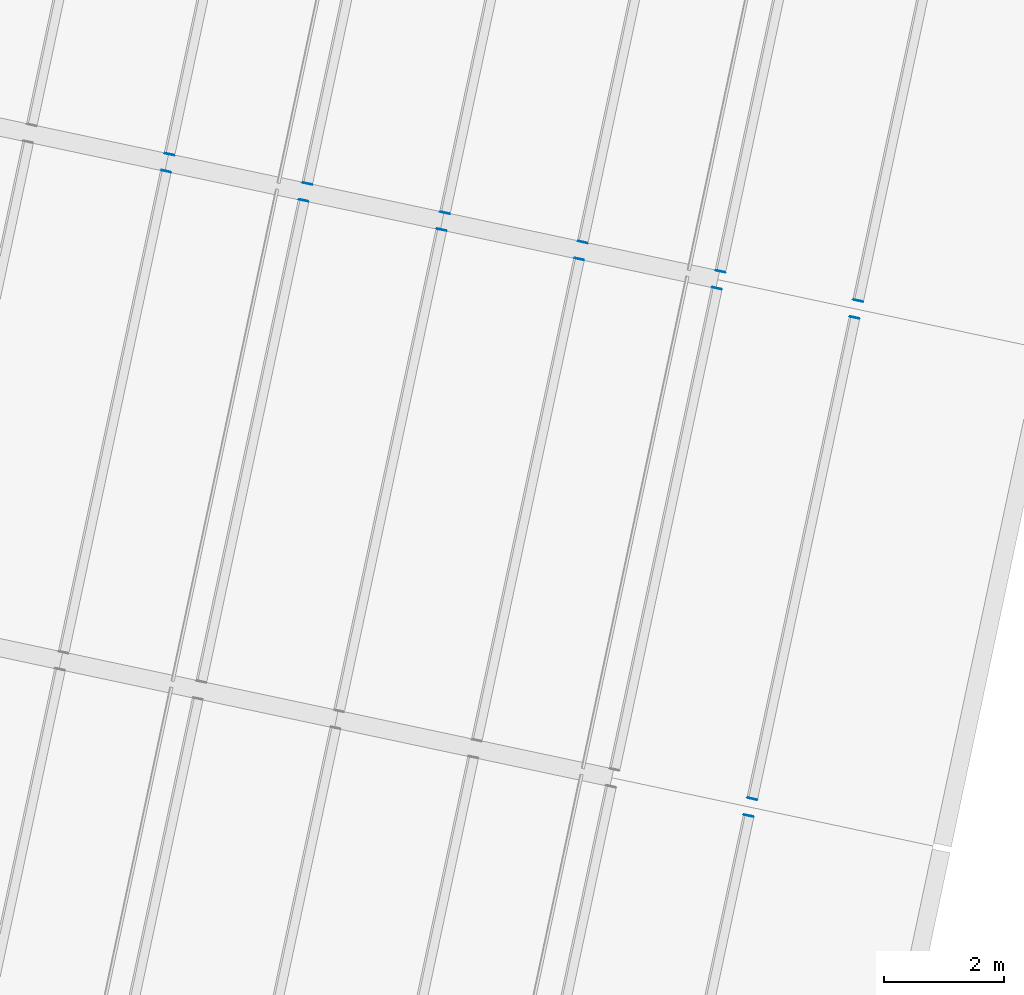
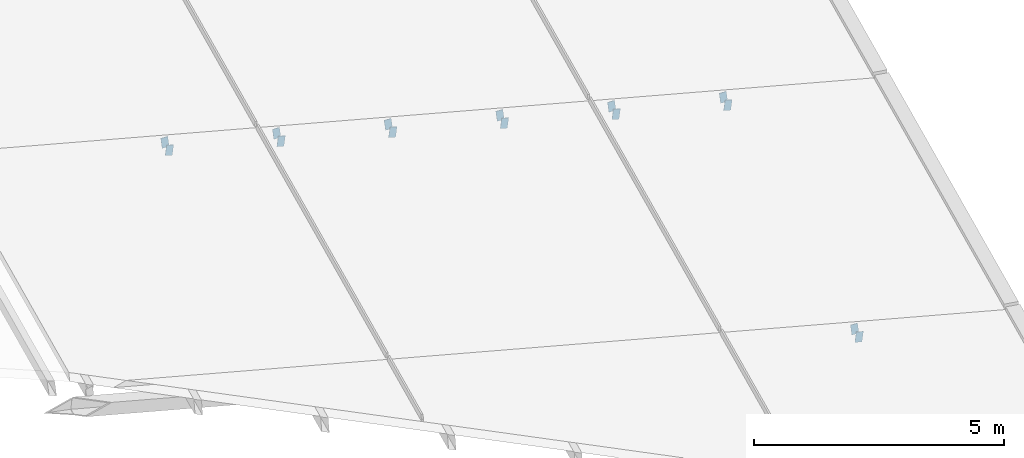
# One storey, part 159 of 196: 14 discrete accessories.
"""IFC4 building model written with IfcOpenShell, lengths in metres."""

from ifc_helpers import new_model, si_unit, direction, frame, origin, origin_2d, place, context, subcontext, project, spatial, rectangle, extrude, material, layer, layer_set, type_object, element, save


model = new_model("IFC4")

# Units and contexts
model_context = context("Model", 3, precision=1e-05, world=origin(), true_north=direction((0.0, 1.0)))
body_context = subcontext(model_context, "Body", "Model", "MODEL_VIEW")
ifc_project = project(units=[si_unit("LENGTHUNIT", "METRE"), si_unit("AREAUNIT", "SQUARE_METRE"), si_unit("VOLUMEUNIT", "CUBIC_METRE"), si_unit("PLANEANGLEUNIT", "RADIAN"), si_unit("MASSUNIT", "GRAM", prefix="KILO")], contexts=[model_context])

# Site, building, storey
site_placement = place(None, origin())
site = spatial("IfcSite", under=ifc_project, at=site_placement, CompositionType="ELEMENT")
building_placement = place(site_placement, origin())
building = spatial("IfcBuilding", under=site, at=building_placement, Name="Okhra Congress Centre", CompositionType="ELEMENT")
storey_placement = place(building_placement, frame((0.0, 0.0, 12.0)))
storey = spatial("IfcBuildingStorey", under=building, at=storey_placement, Name="L02", CompositionType="ELEMENT", Elevation=12.0)

# Discrete accessories
ifc_material = material(Name="Steel S355J2", Category="steel")
ifc_layer = layer(ifc_material, 0.011962890625)
ifc_layer_set = layer_set([ifc_layer], Name="Hollow section end cap 12 mm S355")
discrete_accessory_type = type_object("IfcDiscreteAccessoryType", Name="Hollow section end cap 12 mm S355", PredefinedType="BRACKET", material=ifc_layer_set)
for number, where, z_axis, x_axis, name in (
    (1, (254.58740234375, 92.59716796875, 0.21142578125), (0.203954254112, 0.978980419738, 0.0), (-0.971683248143, 0.20243401003, 0.121869343405), "Hollow section end cap"),
    (2, (244.861328125, 103.3544921875, 1.654296875), (0.223376156329, 0.974732318528, 0.0), (-0.967466811636, 0.221711144333, 0.121869343405), "Hollow section end cap"),
    (3, (247.16015625, 102.86572265625, 1.36572265625), (0.203954254112, 0.978980419738, 0.0), (-0.971683248143, 0.20243401003, 0.121869343405), "Hollow section end cap"),
    (4, (249.458740234375, 102.377197265625, 1.0771484375), (0.203954254112, 0.978980419738, 0.0), (-0.971683248143, 0.20243401003, 0.121869343405), "Hollow section end cap"),
    (5, (251.75732421875, 101.888671875, 0.78857421875), (0.203954254112, 0.978980419738, 0.0), (-0.971683248143, 0.20243401003, 0.121869343405), "Hollow section end cap"),
):
    element("IfcDiscreteAccessory", number, at=place(storey_placement, frame(where, z_axis=z_axis, x_axis=x_axis)), inside=storey, type_object=discrete_accessory_type, Name=name, PredefinedType="BRACKET", context=body_context, shape_type="SweptSolid", body=[
        extrude(rectangle(XDim=0.14990234375, YDim=0.25, at=origin_2d()), origin(), (0.0, 0.0, 1.0), 0.011962890625),
    ])
discrete_accessory_placement = place(storey_placement, frame((254.055908203125, 101.39990234375, 0.5), z_axis=(0.219038342307, 0.975716252094, 0.0), x_axis=(-0.968443411109, 0.217405663718, 0.121869343405)))
element("IfcDiscreteAccessory", 6, at=discrete_accessory_placement, inside=storey, type_object=discrete_accessory_type, Name="Hollow section end cap", PredefinedType="BRACKET", context=body_context, shape_type="SweptSolid", body=[
    extrude(rectangle(XDim=0.14990234375, YDim=0.25, at=origin_2d()), origin(), (0.0, 0.0, 1.0), 0.01220703125),
])
for number, where, z_axis, x_axis, name in (
    (7, (254.64990234375, 92.890625, 0.21142578125), (-0.223376156329, -0.974732318528, 0.0), (0.967466811636, -0.221711144333, 0.121869343405), "Hollow section end cap"),
    (8, (256.354736328125, 100.911376953125, 0.21142578125), (0.203954254112, 0.978980419738, 0.0), (-0.971683248143, 0.20243401003, 0.121869343405), "Hollow section end cap"),
    (9, (244.923828125, 103.647705078125, 1.654296875), (-0.203954254112, -0.978980419738, 0.0), (0.971683248143, -0.20243401003, 0.121869343405), "Hollow section end cap"),
    (10, (247.222412109375, 103.1591796875, 1.36572265625), (-0.203954254112, -0.978980419738, 0.0), (0.971683248143, -0.20243401003, 0.121869343405), "Hollow section end cap"),
    (11, (249.52099609375, 102.670654296875, 1.0771484375), (-0.203954254112, -0.978980419738, 0.0), (0.971683248143, -0.20243401003, 0.121869343405), "Hollow section end cap"),
    (12, (251.81982421875, 102.18212890625, 0.78857421875), (-0.223376156329, -0.974732318528, 0.0), (0.967466811636, -0.221711144333, 0.121869343405), "Hollow section end cap"),
    (13, (254.118408203125, 101.693359375, 0.5), (-0.203954254112, -0.978980419738, 0.0), (0.971683248143, -0.20243401003, 0.121869343405), "Hollow section end cap"),
    (14, (256.4169921875, 101.204833984375, 0.21142578125), (-0.203954254112, -0.978980419738, 0.0), (0.971683248143, -0.20243401003, 0.121869343405), "Hollow section end cap"),
):
    element("IfcDiscreteAccessory", number, at=place(storey_placement, frame(where, z_axis=z_axis, x_axis=x_axis)), inside=storey, type_object=discrete_accessory_type, Name=name, PredefinedType="BRACKET", context=body_context, shape_type="SweptSolid", body=[
        extrude(rectangle(XDim=0.14990234375, YDim=0.25, at=origin_2d()), origin(), (0.0, 0.0, 1.0), 0.011962890625),
    ])

save(model, "model.ifc")
